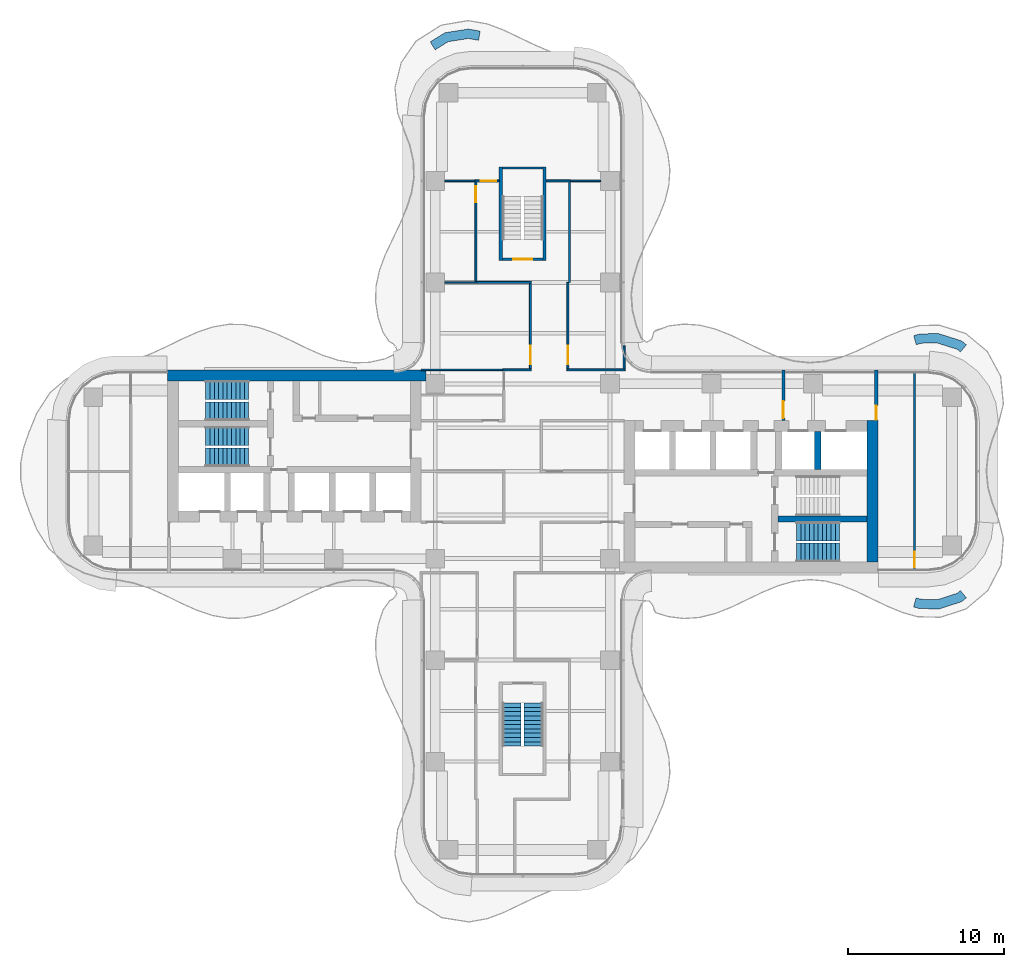
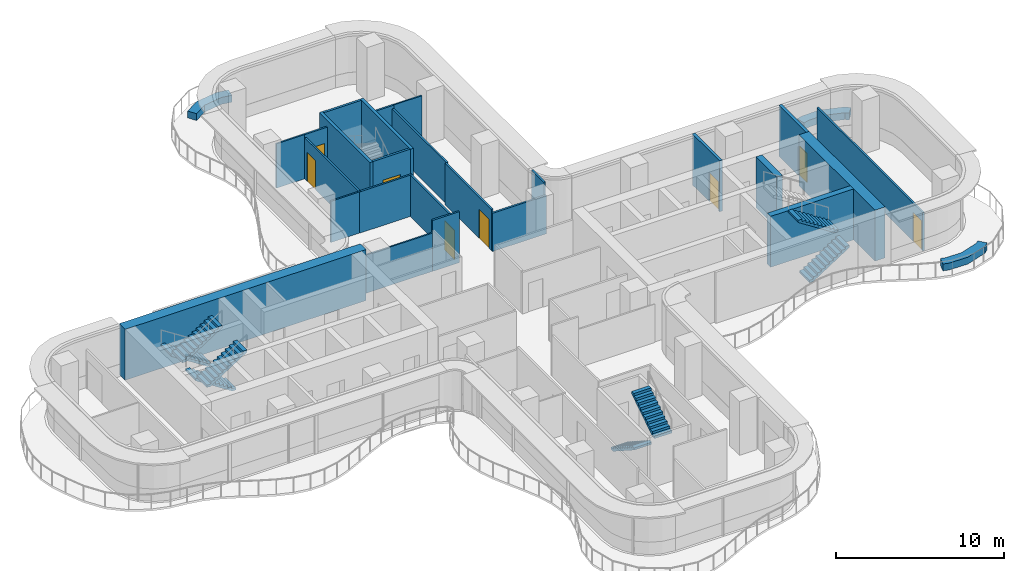
# One storey, part 15 of 18: 28 walls, 8 doors, 8 stair flights, 8 openings, 4 elements without a shape of their own.
"""IFC4 building model written with IfcOpenShell, lengths in metres."""

from ifc_helpers import new_model, si_unit, direction, frame, frame_2d, origin, place, context, subcontext, project, spatial, polyline, rectangle, outline, extrude, source, transform, mapped, material, layer, layer_set, type_object, element, fill, aggregate, save


model = new_model("IFC4")

# Units and contexts
model_context = context("Model", 3, precision=1e-05, world=origin(), true_north=direction((0.0, 1.0)))
body_context = subcontext(model_context, "Body", "Model", "MODEL_VIEW")
ifc_project = project(units=[si_unit("LENGTHUNIT", "METRE"), si_unit("AREAUNIT", "SQUARE_METRE"), si_unit("VOLUMEUNIT", "CUBIC_METRE"), si_unit("PLANEANGLEUNIT", "RADIAN"), si_unit("MASSUNIT", "GRAM", prefix="KILO")], contexts=[model_context])

# Site, building, storey
site_placement = place(None, origin())
site = spatial("IfcSite", under=ifc_project, at=site_placement, CompositionType="ELEMENT")
building_placement = place(site_placement, origin())
building = spatial("IfcBuilding", under=site, at=building_placement, Name="Trellis Farm Tower", CompositionType="ELEMENT")
storey_placement = place(building_placement, frame((0.0, 0.0, 169.800048828125)))
storey = spatial("IfcBuildingStorey", under=building, at=storey_placement, Name="L36", CompositionType="ELEMENT", Elevation=169.800048828125)

# Wall, opening, door
ifc_material_1 = material(Name="Plasterboard on steel studs, mineral wool", Category="steel")
ifc_layer_1 = layer(ifc_material_1, 0.125)
ifc_layer_set_1 = layer_set([ifc_layer_1], Name="PARTITION 125 STUD EI 60")
wall_type_1 = type_object("IfcWallType", Name="PARTITION 125 STUD EI 60", PredefinedType="PARTITIONING", material=ifc_layer_set_1)
wall_1_placement = place(storey_placement, frame((-3.0, 12.14990234375, 0.0), z_axis=(0.0, 0.0, 1.0), x_axis=(0.0, 1.0, 0.0)))
wall_1 = element("IfcWall", 1, at=wall_1_placement, inside=storey, type_object=wall_type_1, Name="Partition PW1", PredefinedType="PARTITIONING", context=body_context, shape_type="SweptSolid", body=[
    extrude(rectangle(XDim=6.400146484375, YDim=0.125, at=frame_2d((3.2001953125, 0.0))), origin(), (0.0, 0.0, 1.0), 2.996337890625),
])
shared_shape_1 = source(origin(), body_context, "Body", "SweptSolid", [
    extrude(rectangle(XDim=1.0, YDim=2.10009765625, at=frame_2d((0.5, 1.050048828125))), frame((0.0, 0.072509765625, 0.0), z_axis=(0.0, -1.0, 0.0), x_axis=(1.0, 0.0, 0.0)), (0.0, 0.0, 1.0), 0.14501953125),
])
opening_1_placement = place(wall_1_placement, frame((5.10009765625, 0.0, 0.0)))
opening_1 = element("IfcOpeningElement", 2, at=opening_1_placement, cuts=wall_1, Name="Opening D109", PredefinedType="OPENING", context=body_context, shape_type="MappedRepresentation", body=[
    mapped(shared_shape_1, transform((0.0, 0.0, 0.0))),
])
ifc_material_2 = material(Name="Fire-rated timber door leaf in a hollow metal frame", Category="wood")
door_type_1 = type_object("IfcDoorType", Name="DOOR 1000x2100 FD30S", OperationType="NOTDEFINED", PredefinedType="DOOR", material=ifc_material_2)
shared_shape_2 = source(origin(), body_context, "Body", "SweptSolid", [
    extrude(rectangle(XDim=1.0, YDim=2.10009765625, at=frame_2d((0.5, 1.050048828125))), frame((0.0, 0.02490234375, 0.0), z_axis=(0.0, -1.0, 0.0), x_axis=(1.0, 0.0, 0.0)), (0.0, 0.0, 1.0), 0.050048828125),
])
door_1_placement = place(opening_1_placement, origin())
door_1 = element("IfcDoor", 3, at=door_1_placement, inside=storey, type_object=door_type_1, Name="Door D109", OperationType="SINGLE_SWING_RIGHT", OverallHeight=2.10009765625, OverallWidth=1.0, PredefinedType="DOOR", context=body_context, shape_type="MappedRepresentation", body=[
    mapped(shared_shape_2, transform((0.0, 0.0, 0.0))),
])
fill(opening_1, door_1)

# Walls
wall_2_placement = place(storey_placement, frame((3.0, 18.550048828125, 0.0), z_axis=(0.0, 0.0, 1.0), x_axis=(0.0, -1.0, 0.0)))
element("IfcWall", 4, at=wall_2_placement, inside=storey, type_object=wall_type_1, Name="Partition PW1", PredefinedType="PARTITIONING", context=body_context, shape_type="SweptSolid", body=[
    extrude(rectangle(XDim=6.449951171875, YDim=0.125, at=frame_2d((3.22509765625, 0.0))), origin(), (0.0, 0.0, 1.0), 2.996337890625),
])
ifc_material_3 = material(Name="Sandstone faced masonry planter", Category="masonry")
ifc_layer_2 = layer(ifc_material_3, 0.60009765625)
ifc_layer_set_2 = layer_set([ifc_layer_2], Name="PLANTER BED 600")
wall_type_2 = type_object("IfcWallType", Name="PLANTER BED 600", PredefinedType="USERDEFINED", material=ifc_layer_set_2)
placement = place(storey_placement, origin())
element("IfcWall", 5, at=placement, inside=storey, type_object=wall_type_2, Name="PLANTER bed", ObjectType="PLANTER", PredefinedType="USERDEFINED", context=body_context, shape_type="SweptSolid", body=[
    extrude(outline(polyline([(25.4501953125, 8.798828125), (26.621337890625, 8.82666015625), (28.12548828125, 8.350830078125), (28.425048828125, 8.099365234375), (28.0390625, 7.639892578125), (27.8310546875, 7.814697265625), (26.53564453125, 8.224365234375), (25.5380859375, 8.20068359375), (25.209716796875, 8.110595703125), (25.051025390625, 8.689208984375), (25.4501953125, 8.798828125)])), origin(), (0.0, 0.0, 1.0), 0.5),
])
element("IfcWall", 6, at=placement, inside=storey, type_object=wall_type_2, Name="PLANTER bed", ObjectType="PLANTER", PredefinedType="USERDEFINED", context=body_context, shape_type="SweptSolid", body=[
    extrude(outline(polyline([(26.67626953125, -8.818603515625), (25.408447265625, -8.792236328125), (25.04052734375, -8.688720703125), (25.202880859375, -8.111083984375), (25.497314453125, -8.19384765625), (26.588134765625, -8.216552734375), (27.828857421875, -7.816650390625), (28.0390625, -7.639892578125), (28.425048828125, -8.099365234375), (28.124755859375, -8.3515625), (26.67626953125, -8.818603515625)])), origin(), (0.0, 0.0, 1.0), 0.5),
])
element("IfcWall", 7, at=placement, inside=storey, type_object=wall_type_2, Name="PLANTER bed", ObjectType="PLANTER", PredefinedType="USERDEFINED", context=body_context, shape_type="SweptSolid", body=[
    extrude(outline(polyline([(-3.470703125, 28.330078125), (-2.71875, 28.1953125), (-2.824462890625, 27.604736328125), (-3.477294921875, 27.7216796875), (-4.76416015625, 27.52001953125), (-5.60498046875, 26.998291015625), (-5.92138671875, 27.508056640625), (-4.97705078125, 28.09375), (-3.470703125, 28.330078125)])), origin(), (0.0, 0.0, 1.0), 0.5),
])
ifc_material_4 = material(Name="Concrete C70/85", Category="concrete")
ifc_layer_3 = layer(ifc_material_4, 0.699951171875)
ifc_layer_set_3 = layer_set([ifc_layer_3], Name="CORE OUTER WALL 700 CONCRETE C70/85")
wall_type_3 = type_object("IfcWallType", Name="CORE OUTER WALL 700 CONCRETE C70/85", PredefinedType="SHEAR", material=ifc_layer_set_3)
shared_shape_3 = source(origin(), body_context, "Body", "SweptSolid", [
    extrude(rectangle(XDim=9.050048828125, YDim=0.699951171875, at=frame_2d((4.52490234375, 0.0))), origin(), (0.0, 0.0, 1.0), 3.699951171875),
])
wall_6_placement = place(storey_placement, frame((22.39990234375, -5.800048828125, 0.0), z_axis=(0.0, 0.0, 1.0), x_axis=(0.0, 1.0, 0.0)))
element("IfcWall", 8, at=wall_6_placement, inside=storey, type_object=wall_type_3, Name="Core wall", PredefinedType="SHEAR", context=body_context, shape_type="MappedRepresentation", body=[
    mapped(shared_shape_3, transform((0.0, 0.0, 0.0))),
])
ifc_layer_4 = layer(ifc_material_4, 0.39990234375)
ifc_layer_set_4 = layer_set([ifc_layer_4], Name="CORE INNER WALL 400 CONCRETE C70/85")
wall_type_4 = type_object("IfcWallType", Name="CORE INNER WALL 400 CONCRETE C70/85", PredefinedType="SHEAR", material=ifc_layer_set_4)
shared_shape_4 = source(origin(), body_context, "Body", "SweptSolid", [
    extrude(rectangle(XDim=2.449951171875, YDim=0.39990234375, at=frame_2d((1.22509765625, 0.0))), origin(), (0.0, 0.0, 1.0), 3.699951171875),
])
wall_7_placement = place(storey_placement, frame((18.89990234375, 0.10009765625, 0.0), z_axis=(0.0, 0.0, 1.0), x_axis=(0.0, 1.0, 0.0)))
element("IfcWall", 9, at=wall_7_placement, inside=storey, type_object=wall_type_4, Name="Core wall", PredefinedType="SHEAR", context=body_context, shape_type="MappedRepresentation", body=[
    mapped(shared_shape_4, transform((0.0, 0.0, 0.0))),
])

# Wall, opening, door
ifc_material_5 = material(Name="Masonry blockwork", Category="masonry")
ifc_layer_5 = layer(ifc_material_5, 0.199951171875)
ifc_layer_set_5 = layer_set([ifc_layer_5], Name="FIRE LOBBY PARTITION 200 BLOCKWORK")
wall_type_5 = type_object("IfcWallType", Name="FIRE LOBBY PARTITION 200 BLOCKWORK", PredefinedType="PARTITIONING", material=ifc_layer_set_5)
shared_shape_5 = source(origin(), body_context, "Body", "SweptSolid", [
    extrude(rectangle(XDim=3.25, YDim=0.199951171875, at=frame_2d((1.625, 0.0))), origin(), (0.0, 0.0, 1.0), 3.699951171875),
])
wall_8_placement = place(storey_placement, frame((16.699951171875, 3.25, 0.0), z_axis=(0.0, 0.0, 1.0), x_axis=(0.0, 1.0, 0.0)))
wall_8 = element("IfcWall", 10, at=wall_8_placement, inside=storey, type_object=wall_type_5, Name="Fire-fighting lobby partition", PredefinedType="PARTITIONING", context=body_context, shape_type="MappedRepresentation", body=[
    mapped(shared_shape_5, transform((0.0, 0.0, 0.0))),
])
shared_shape_6 = source(origin(), body_context, "Body", "SweptSolid", [
    extrude(rectangle(XDim=1.10009765625, YDim=2.10009765625, at=frame_2d((0.550048828125, 1.050048828125))), frame((0.0, 0.110107421875, 0.0), z_axis=(0.0, -1.0, 0.0), x_axis=(1.0, 0.0, 0.0)), (0.0, 0.0, 1.0), 0.22021484375),
])
opening_2_placement = place(wall_8_placement, frame((0.14990234375, 0.0, 0.0)))
opening_2 = element("IfcOpeningElement", 11, at=opening_2_placement, cuts=wall_8, Name="Opening DC7", PredefinedType="OPENING", context=body_context, shape_type="MappedRepresentation", body=[
    mapped(shared_shape_6, transform((0.0, 0.0, 0.0))),
])
ifc_material_6 = material(Name="Steel", Category="steel")
door_type_2 = type_object("IfcDoorType", Name="CORE FIRE DOOR 1100 X 2100", OperationType="NOTDEFINED", PredefinedType="DOOR", material=ifc_material_6)
shared_shape_7 = source(origin(), body_context, "Body", "SweptSolid", [
    extrude(rectangle(XDim=1.10009765625, YDim=2.10009765625, at=frame_2d((0.550048828125, 1.050048828125))), frame((0.0, 0.02490234375, 0.0), z_axis=(0.0, -1.0, 0.0), x_axis=(1.0, 0.0, 0.0)), (0.0, 0.0, 1.0), 0.050048828125),
])
door_2_placement = place(opening_2_placement, origin())
door_2 = element("IfcDoor", 12, at=door_2_placement, inside=storey, type_object=door_type_2, Name="Core door", OperationType="SINGLE_SWING_RIGHT", OverallHeight=2.10009765625, OverallWidth=1.10009765625, PredefinedType="DOOR", context=body_context, shape_type="MappedRepresentation", body=[
    mapped(shared_shape_7, transform((0.0, 0.0, 0.0))),
])
fill(opening_2, door_2)

wall_9_placement = place(storey_placement, frame((22.64990234375, 3.25, 0.0), z_axis=(0.0, 0.0, 1.0), x_axis=(0.0, 1.0, 0.0)))
wall_9 = element("IfcWall", 13, at=wall_9_placement, inside=storey, type_object=wall_type_5, Name="Fire-fighting lobby partition", PredefinedType="PARTITIONING", context=body_context, shape_type="MappedRepresentation", body=[
    mapped(shared_shape_5, transform((0.0, 0.0, 0.0))),
])
shared_shape_8 = source(origin(), body_context, "Body", "SweptSolid", [
    extrude(rectangle(XDim=0.89990234375, YDim=2.10009765625, at=frame_2d((0.449951171875, 1.050048828125))), frame((0.0, 0.110107421875, 0.0), z_axis=(0.0, -1.0, 0.0), x_axis=(1.0, 0.0, 0.0)), (0.0, 0.0, 1.0), 0.22021484375),
])
opening_3_placement = place(wall_9_placement, frame((0.050048828125, 0.0, 0.0)))
opening_3 = element("IfcOpeningElement", 14, at=opening_3_placement, cuts=wall_9, Name="Opening DC8", PredefinedType="OPENING", context=body_context, shape_type="MappedRepresentation", body=[
    mapped(shared_shape_8, transform((0.0, 0.0, 0.0))),
])
door_type_3 = type_object("IfcDoorType", Name="CORE FIRE DOOR 900 X 2100", OperationType="NOTDEFINED", PredefinedType="DOOR", material=ifc_material_6)
shared_shape_9 = source(origin(), body_context, "Body", "SweptSolid", [
    extrude(rectangle(XDim=0.89990234375, YDim=2.10009765625, at=frame_2d((0.449951171875, 1.050048828125))), frame((0.0, 0.02490234375, 0.0), z_axis=(0.0, -1.0, 0.0), x_axis=(1.0, 0.0, 0.0)), (0.0, 0.0, 1.0), 0.050048828125),
])
door_3_placement = place(opening_3_placement, origin())
door_3 = element("IfcDoor", 15, at=door_3_placement, inside=storey, type_object=door_type_3, Name="Core door", OperationType="SINGLE_SWING_RIGHT", OverallHeight=2.10009765625, OverallWidth=0.89990234375, PredefinedType="DOOR", context=body_context, shape_type="MappedRepresentation", body=[
    mapped(shared_shape_9, transform((0.0, 0.0, 0.0))),
])
fill(opening_3, door_3)

# Walls
shared_shape_10 = source(origin(), body_context, "Body", "SweptSolid", [
    extrude(rectangle(XDim=16.550048828125, YDim=0.699951171875, at=frame_2d((8.27490234375, 0.0))), origin(), (0.0, 0.0, 1.0), 3.699951171875),
])
wall_10_placement = place(storey_placement, frame((-6.199951171875, 6.14990234375, 0.0), z_axis=(0.0, 0.0, 1.0), x_axis=(-1.0, 0.0, 0.0)))
element("IfcWall", 16, at=wall_10_placement, inside=storey, type_object=wall_type_3, Name="Core wall", PredefinedType="SHEAR", context=body_context, shape_type="MappedRepresentation", body=[
    mapped(shared_shape_10, transform((0.0, 0.0, 0.0))),
])
shared_shape_11 = source(origin(), body_context, "Body", "SweptSolid", [
    extrude(rectangle(XDim=5.699951171875, YDim=0.39990234375, at=frame_2d((2.85009765625, 0.0))), origin(), (0.0, 0.0, 1.0), 3.699951171875),
])
wall_11_placement = place(storey_placement, frame((16.35009765625, -3.050048828125, 0.0), z_axis=(0.0, 0.0, 1.0), x_axis=(1.0, 0.0, 0.0)))
element("IfcWall", 17, at=wall_11_placement, inside=storey, type_object=wall_type_4, Name="Core wall", PredefinedType="SHEAR", context=body_context, shape_type="MappedRepresentation", body=[
    mapped(shared_shape_11, transform((0.0, 0.0, 0.0))),
])
ifc_layer_6 = layer(ifc_material_4, 0.199951171875)
ifc_layer_set_6 = layer_set([ifc_layer_6], Name="CORE STAIR ENCLOSURE WALL 200 CONCRETE C70/85")
wall_type_6 = type_object("IfcWallType", Name="CORE STAIR ENCLOSURE WALL 200 CONCRETE C70/85", PredefinedType="SHEAR", material=ifc_layer_set_6)
shared_shape_12 = source(origin(), body_context, "Body", "SweptSolid", [
    extrude(rectangle(XDim=6.0, YDim=0.199951171875, at=frame_2d((3.0, 0.0))), origin(), (0.0, 0.0, 1.0), 3.699951171875),
])
for number, where, z_axis, x_axis, name in (
    (18, (-1.39990234375, 13.5, 0.0), (0.0, 0.0, 1.0), (0.0, 1.0, 0.0), "Stair enclosure wall"),
    (19, (1.39990234375, 13.5, 0.0), (0.0, 0.0, 1.0), (0.0, 1.0, 0.0), "Stair enclosure wall"),
):
    element("IfcWall", number, at=place(storey_placement, frame(where, z_axis=z_axis, x_axis=x_axis)), inside=storey, type_object=wall_type_6, Name=name, PredefinedType="SHEAR", context=body_context, shape_type="MappedRepresentation", body=[
        mapped(shared_shape_12, transform((0.0, 0.0, 0.0))),
    ])

# Wall, opening, door
ifc_layer_7 = layer(ifc_material_4, 0.14990234375)
ifc_layer_set_7 = layer_set([ifc_layer_7], Name="CORE STAIR ENCLOSURE WALL 150 CONCRETE C70/85")
wall_type_7 = type_object("IfcWallType", Name="CORE STAIR ENCLOSURE WALL 150 CONCRETE C70/85", PredefinedType="SHEAR", material=ifc_layer_set_7)
shared_shape_13 = source(origin(), body_context, "Body", "SweptSolid", [
    extrude(rectangle(XDim=2.60009765625, YDim=0.14990234375, at=frame_2d((1.300048828125, 0.0))), origin(), (0.0, 0.0, 1.0), 3.699951171875),
])
wall_12_placement = place(storey_placement, frame((-1.300048828125, 13.574951171875, 0.0), z_axis=(0.0, 0.0, 1.0), x_axis=(1.0, 0.0, 0.0)))
wall_12 = element("IfcWall", 20, at=wall_12_placement, inside=storey, type_object=wall_type_7, Name="Stair enclosure wall", PredefinedType="SHEAR", context=body_context, shape_type="MappedRepresentation", body=[
    mapped(shared_shape_13, transform((0.0, 0.0, 0.0))),
])
shared_shape_14 = source(origin(), body_context, "Body", "SweptSolid", [
    extrude(rectangle(XDim=1.199951171875, YDim=2.10009765625, at=frame_2d((0.60009765625, 1.050048828125))), frame((0.0, 0.0849609375, 0.0), z_axis=(0.0, -1.0, 0.0), x_axis=(1.0, 0.0, 0.0)), (0.0, 0.0, 1.0), 0.169921875),
])
opening_4_placement = place(wall_12_placement, frame((0.699951171875, 0.0, 0.0)))
opening_4 = element("IfcOpeningElement", 21, at=opening_4_placement, cuts=wall_12, Name="Opening DC173", PredefinedType="OPENING", context=body_context, shape_type="MappedRepresentation", body=[
    mapped(shared_shape_14, transform((0.0, 0.0, 0.0))),
])
door_type_4 = type_object("IfcDoorType", Name="CORE FIRE DOOR 1200 X 2100", OperationType="NOTDEFINED", PredefinedType="DOOR", material=ifc_material_6)
shared_shape_15 = source(origin(), body_context, "Body", "SweptSolid", [
    extrude(rectangle(XDim=1.199951171875, YDim=2.10009765625, at=frame_2d((0.60009765625, 1.050048828125))), frame((0.0, 0.02490234375, 0.0), z_axis=(0.0, -1.0, 0.0), x_axis=(1.0, 0.0, 0.0)), (0.0, 0.0, 1.0), 0.050048828125),
])
door_4_placement = place(opening_4_placement, origin())
door_4 = element("IfcDoor", 22, at=door_4_placement, inside=storey, type_object=door_type_4, Name="Core door", OperationType="SINGLE_SWING_LEFT", OverallHeight=2.10009765625, OverallWidth=1.199951171875, PredefinedType="DOOR", context=body_context, shape_type="MappedRepresentation", body=[
    mapped(shared_shape_15, transform((0.0, 0.0, 0.0))),
])
fill(opening_4, door_4)

# Walls
wall_13_placement = place(storey_placement, frame((-1.300048828125, 19.425048828125, 0.0), z_axis=(0.0, 0.0, 1.0), x_axis=(1.0, 0.0, 0.0)))
element("IfcWall", 23, at=wall_13_placement, inside=storey, type_object=wall_type_7, Name="Stair enclosure wall", PredefinedType="SHEAR", context=body_context, shape_type="MappedRepresentation", body=[
    mapped(shared_shape_13, transform((0.0, 0.0, 0.0))),
])
shared_shape_16 = source(origin(), body_context, "Body", "SweptSolid", [
    extrude(rectangle(XDim=1.468994140625, YDim=0.125, at=frame_2d((0.734375, 0.0))), origin(), (0.0, 0.0, 1.0), 3.699951171875),
])
wall_14_placement = place(storey_placement, frame((6.5, 6.5625, 0.0), z_axis=(0.0, 0.0, 1.0), x_axis=(0.0, 1.0, 0.0)))
element("IfcWall", 24, at=wall_14_placement, inside=storey, type_object=wall_type_1, Name="Partition PW1", PredefinedType="PARTITIONING", context=body_context, shape_type="MappedRepresentation", body=[
    mapped(shared_shape_16, transform((0.0, 0.0, 0.0))),
])

# Wall, opening, door
shared_shape_17 = source(origin(), body_context, "Body", "SweptSolid", [
    extrude(rectangle(XDim=12.60009765625, YDim=0.125, at=frame_2d((6.300048828125, 0.0))), origin(), (0.0, 0.0, 1.0), 2.780029296875),
])
wall_15_placement = place(storey_placement, frame((25.10009765625, 6.300048828125, 0.0), z_axis=(0.0, 0.0, 1.0), x_axis=(0.0, -1.0, 0.0)))
wall_15 = element("IfcWall", 25, at=wall_15_placement, inside=storey, type_object=wall_type_1, Name="Partition PW1", PredefinedType="PARTITIONING", context=body_context, shape_type="MappedRepresentation", body=[
    mapped(shared_shape_17, transform((0.0, 0.0, 0.0))),
])
opening_5_placement = place(wall_15_placement, frame((11.449951171875, 0.0, 0.0)))
opening_5 = element("IfcOpeningElement", 26, at=opening_5_placement, cuts=wall_15, Name="Opening D104", PredefinedType="OPENING", context=body_context, shape_type="MappedRepresentation", body=[
    mapped(shared_shape_1, transform((0.0, 0.0, 0.0))),
])
door_5_placement = place(opening_5_placement, origin())
door_5 = element("IfcDoor", 27, at=door_5_placement, inside=storey, type_object=door_type_1, Name="Door D104", OperationType="SINGLE_SWING_RIGHT", OverallHeight=2.10009765625, OverallWidth=1.0, PredefinedType="DOOR", context=body_context, shape_type="MappedRepresentation", body=[
    mapped(shared_shape_2, transform((0.0, 0.0, 0.0))),
])
fill(opening_5, door_5)

# Walls
ifc_material_7 = material(Name="Plasterboard on steel studs", Category="steel")
ifc_layer_8 = layer(ifc_material_7, 0.10009765625)
ifc_layer_set_8 = layer_set([ifc_layer_8], Name="PARTITION 100 STUD EI 30")
wall_type_8 = type_object("IfcWallType", Name="PARTITION 100 STUD EI 30", PredefinedType="PARTITIONING", material=ifc_layer_set_8)
shared_shape_18 = source(origin(), body_context, "Body", "SweptSolid", [
    extrude(rectangle(XDim=5.362548828125, YDim=0.10009765625, at=frame_2d((2.68115234375, 0.0))), origin(), (0.0, 0.0, 1.0), 2.780029296875),
])
wall_16_placement = place(storey_placement, frame((-6.5, 6.5, 0.0), z_axis=(0.0, 0.0, 1.0), x_axis=(1.0, 0.0, 0.0)))
element("IfcWall", 28, at=wall_16_placement, inside=storey, type_object=wall_type_8, Name="Partition PW2", PredefinedType="PARTITIONING", context=body_context, shape_type="MappedRepresentation", body=[
    mapped(shared_shape_18, transform((0.0, 0.0, 0.0))),
])
shared_shape_19 = source(origin(), body_context, "Body", "SweptSolid", [
    extrude(rectangle(XDim=1.824951171875, YDim=0.125, at=frame_2d((0.91259765625, 0.0))), origin(), (0.0, 0.0, 1.0), 3.699951171875),
])
wall_17_placement = place(storey_placement, frame((-1.262451171875, 6.5, 0.0), z_axis=(0.0, 0.0, 1.0), x_axis=(1.0, 0.0, 0.0)))
element("IfcWall", 29, at=wall_17_placement, inside=storey, type_object=wall_type_1, Name="Partition PW1", PredefinedType="PARTITIONING", context=body_context, shape_type="MappedRepresentation", body=[
    mapped(shared_shape_19, transform((0.0, 0.0, 0.0))),
])
shared_shape_20 = source(origin(), body_context, "Body", "SweptSolid", [
    extrude(rectangle(XDim=3.72509765625, YDim=0.125, at=frame_2d((1.862548828125, 0.0))), origin(), (0.0, 0.0, 1.0), 2.780029296875),
])
wall_18_placement = place(storey_placement, frame((2.83740234375, 6.5, 0.0), z_axis=(0.0, 0.0, 1.0), x_axis=(1.0, 0.0, 0.0)))
element("IfcWall", 30, at=wall_18_placement, inside=storey, type_object=wall_type_1, Name="Partition PW1", PredefinedType="PARTITIONING", context=body_context, shape_type="MappedRepresentation", body=[
    mapped(shared_shape_20, transform((0.0, 0.0, 0.0))),
])
shared_shape_21 = source(origin(), body_context, "Body", "SweptSolid", [
    extrude(rectangle(XDim=2.0625, YDim=0.10009765625, at=frame_2d((1.03125, 0.0))), origin(), (0.0, 0.0, 1.0), 3.222900390625),
])
for number, where, z_axis, x_axis, name in (
    (31, (-5.0, 18.60009765625, 0.0), (0.0, 0.0, 1.0), (1.0, 0.0, 0.0), "Partition PW2"),
    (32, (2.9375, 18.60009765625, 0.0), (0.0, 0.0, 1.0), (1.0, 0.0, 0.0), "Partition PW2"),
):
    element("IfcWall", number, at=place(storey_placement, frame(where, z_axis=z_axis, x_axis=x_axis)), inside=storey, type_object=wall_type_8, Name=name, PredefinedType="PARTITIONING", context=body_context, shape_type="MappedRepresentation", body=[
        mapped(shared_shape_21, transform((0.0, 0.0, 0.0))),
    ])

# Wall, opening, door
shared_shape_22 = source(origin(), body_context, "Body", "SweptSolid", [
    extrude(rectangle(XDim=1.5625, YDim=0.125, at=frame_2d((0.78125, 0.0))), origin(), (0.0, 0.0, 1.0), 3.222900390625),
])
wall_19_placement = place(storey_placement, frame((-3.0625, 18.60009765625, 0.0), z_axis=(0.0, 0.0, 1.0), x_axis=(1.0, 0.0, 0.0)))
wall_19 = element("IfcWall", 33, at=wall_19_placement, inside=storey, type_object=wall_type_1, Name="Partition PW1", PredefinedType="PARTITIONING", context=body_context, shape_type="MappedRepresentation", body=[
    mapped(shared_shape_22, transform((0.0, 0.0, 0.0))),
])
opening_6_placement = place(wall_19_placement, frame((0.362548828125, 0.0, 0.0)))
opening_6 = element("IfcOpeningElement", 34, at=opening_6_placement, cuts=wall_19, Name="Opening D110", PredefinedType="OPENING", context=body_context, shape_type="MappedRepresentation", body=[
    mapped(shared_shape_1, transform((0.0, 0.0, 0.0))),
])
door_6_placement = place(opening_6_placement, origin())
door_6 = element("IfcDoor", 35, at=door_6_placement, inside=storey, type_object=door_type_1, Name="Door D110", OperationType="SINGLE_SWING_RIGHT", OverallHeight=2.10009765625, OverallWidth=1.0, PredefinedType="DOOR", context=body_context, shape_type="MappedRepresentation", body=[
    mapped(shared_shape_2, transform((0.0, 0.0, 0.0))),
])
fill(opening_6, door_6)

# Wall
wall_20_placement = place(storey_placement, frame((1.5, 18.60009765625, 0.0), z_axis=(0.0, 0.0, 1.0), x_axis=(1.0, 0.0, 0.0)))
element("IfcWall", 36, at=wall_20_placement, inside=storey, type_object=wall_type_1, Name="Partition PW1", PredefinedType="PARTITIONING", context=body_context, shape_type="MappedRepresentation", body=[
    mapped(shared_shape_22, transform((0.0, 0.0, 0.0))),
])

# Wall, opening, door
shared_shape_23 = source(origin(), body_context, "Body", "SweptSolid", [
    extrude(rectangle(XDim=5.47509765625, YDim=0.125, at=frame_2d((2.737548828125, 0.0))), origin(), (0.0, 0.0, 1.0), 2.996337890625),
])
wall_21_placement = place(storey_placement, frame((0.5, 12.03759765625, 0.0), z_axis=(0.0, 0.0, 1.0), x_axis=(0.0, -1.0, 0.0)))
wall_21 = element("IfcWall", 37, at=wall_21_placement, inside=storey, type_object=wall_type_1, Name="Partition PW1", PredefinedType="PARTITIONING", context=body_context, shape_type="MappedRepresentation", body=[
    mapped(shared_shape_23, transform((0.0, 0.0, 0.0))),
])
shared_shape_24 = source(origin(), body_context, "Body", "SweptSolid", [
    extrude(rectangle(XDim=1.199951171875, YDim=2.10009765625, at=frame_2d((0.60009765625, 1.050048828125))), frame((0.0, 0.072509765625, 0.0), z_axis=(0.0, -1.0, 0.0), x_axis=(1.0, 0.0, 0.0)), (0.0, 0.0, 1.0), 0.14501953125),
])
opening_7_placement = place(wall_21_placement, frame((3.987548828125, 0.0, 0.0)))
opening_7 = element("IfcOpeningElement", 38, at=opening_7_placement, cuts=wall_21, Name="Opening D601", PredefinedType="OPENING", context=body_context, shape_type="MappedRepresentation", body=[
    mapped(shared_shape_24, transform((0.0, 0.0, 0.0))),
])
door_type_5 = type_object("IfcDoorType", Name="DOOR 1200x2100 FD30S", OperationType="NOTDEFINED", PredefinedType="DOOR", material=ifc_material_2)
door_7_placement = place(opening_7_placement, origin())
door_7 = element("IfcDoor", 39, at=door_7_placement, inside=storey, type_object=door_type_5, Name="Door D601", OperationType="SINGLE_SWING_RIGHT", OverallHeight=2.10009765625, OverallWidth=1.199951171875, PredefinedType="DOOR", context=body_context, shape_type="MappedRepresentation", body=[
    mapped(shared_shape_15, transform((0.0, 0.0, 0.0))),
])
fill(opening_7, door_7)

shared_shape_25 = source(origin(), body_context, "Body", "SweptSolid", [
    extrude(rectangle(XDim=5.53759765625, YDim=0.125, at=frame_2d((2.768798828125, 0.0))), origin(), (0.0, 0.0, 1.0), 2.996337890625),
])
wall_22_placement = place(storey_placement, frame((2.89990234375, 12.10009765625, 0.0), z_axis=(0.0, 0.0, 1.0), x_axis=(0.0, -1.0, 0.0)))
wall_22 = element("IfcWall", 40, at=wall_22_placement, inside=storey, type_object=wall_type_1, Name="Partition PW1", PredefinedType="PARTITIONING", context=body_context, shape_type="MappedRepresentation", body=[
    mapped(shared_shape_25, transform((0.0, 0.0, 0.0))),
])
opening_8_placement = place(wall_22_placement, frame((4.050048828125, 0.0, 0.0)))
opening_8 = element("IfcOpeningElement", 41, at=opening_8_placement, cuts=wall_22, Name="Opening D602", PredefinedType="OPENING", context=body_context, shape_type="MappedRepresentation", body=[
    mapped(shared_shape_24, transform((0.0, 0.0, 0.0))),
])
door_8_placement = place(opening_8_placement, origin())
door_8 = element("IfcDoor", 42, at=door_8_placement, inside=storey, type_object=door_type_5, Name="Door D602", OperationType="SINGLE_SWING_RIGHT", OverallHeight=2.10009765625, OverallWidth=1.199951171875, PredefinedType="DOOR", context=body_context, shape_type="MappedRepresentation", body=[
    mapped(shared_shape_15, transform((0.0, 0.0, 0.0))),
])
fill(opening_8, door_8)

# Walls
shared_shape_26 = source(origin(), body_context, "Body", "SweptSolid", [
    extrude(rectangle(XDim=2.0625, YDim=0.10009765625, at=frame_2d((1.03125, 0.0))), origin(), (0.0, 0.0, 1.0), 2.996337890625),
])
wall_23_placement = place(storey_placement, frame((-5.0, 12.10009765625, 0.0), z_axis=(0.0, 0.0, 1.0), x_axis=(1.0, 0.0, 0.0)))
element("IfcWall", 43, at=wall_23_placement, inside=storey, type_object=wall_type_8, Name="Partition PW2", PredefinedType="PARTITIONING", context=body_context, shape_type="MappedRepresentation", body=[
    mapped(shared_shape_26, transform((0.0, 0.0, 0.0))),
])
shared_shape_27 = source(origin(), body_context, "Body", "SweptSolid", [
    extrude(rectangle(XDim=3.625, YDim=0.125, at=frame_2d((1.8125, 0.0))), origin(), (0.0, 0.0, 1.0), 2.996337890625),
])
wall_24_placement = place(storey_placement, frame((0.5625, 12.10009765625, 0.0), z_axis=(0.0, 0.0, 1.0), x_axis=(-1.0, 0.0, 0.0)))
element("IfcWall", 44, at=wall_24_placement, inside=storey, type_object=wall_type_1, Name="Partition PW1", PredefinedType="PARTITIONING", context=body_context, shape_type="MappedRepresentation", body=[
    mapped(shared_shape_27, transform((0.0, 0.0, 0.0))),
])

# Stair, stair flights
ifc_material_8 = material(Name="Concrete C50/60", Category="concrete")
stair_type = type_object("IfcStairType", Name="CORE EXIT STAIR 22 RISERS 177 MM", PredefinedType="HALF_TURN_STAIR", material=ifc_material_8)
stair_1 = element("IfcStair", 45, at=placement, inside=storey, type_object=stair_type, Name="Exit stair S", PredefinedType="HALF_TURN_STAIR")
stair_flight_type = type_object("IfcStairFlightType", Name="STAIR FLIGHT 11 RISERS 177 MM", PredefinedType="STRAIGHT", material=ifc_material_8)
shared_shape_28 = source(origin(), body_context, "Body", "SweptSolid", [
    extrude(outline(polyline([(0.0, 0.0), (0.0, 0.17724609375), (0.27490234375, 0.17724609375), (0.27490234375, 0.3544921875), (0.550048828125, 0.3544921875), (0.550048828125, 0.53173828125), (0.824951171875, 0.53173828125), (0.824951171875, 0.708984375), (1.10009765625, 0.708984375), (1.10009765625, 0.886474609375), (1.375, 0.886474609375), (1.375, 1.063720703125), (1.64990234375, 1.063720703125), (1.64990234375, 1.240966796875), (1.925048828125, 1.240966796875), (1.925048828125, 1.418212890625), (2.199951171875, 1.418212890625), (2.199951171875, 1.595458984375), (2.47509765625, 1.595458984375), (2.47509765625, 1.772705078125), (2.75, 1.772705078125), (2.75, 1.949951171875), (2.75, 1.6181640625), (0.23974609375, 0.0), (0.0, 0.0)])), frame((0.0, 0.60009765625, 0.0), z_axis=(0.0, -1.0, 0.0), x_axis=(1.0, 0.0, 0.0)), (0.0, 0.0, 1.0), 1.199951171875),
])
stair_flight_1_placement = place(storey_placement, frame((-0.699951171875, -14.85009765625, 0.0), z_axis=(0.0, 0.0, 1.0), x_axis=(0.0, -1.0, 0.0)))
stair_flight_1 = element("IfcStairFlight", 46, at=stair_flight_1_placement, type_object=stair_flight_type, Name="STS flight 1", NumberOfRisers=11, NumberOfTreads=10, PredefinedType="STRAIGHT", RiserHeight=0.177272727, TreadLength=0.275, context=body_context, shape_type="MappedRepresentation", body=[
    mapped(shared_shape_28, transform((0.0, 0.0, 0.0))),
])
stair_flight_2_placement = place(storey_placement, frame((0.699951171875, -17.60009765625, 1.949951171875), z_axis=(0.0, 0.0, 1.0), x_axis=(0.0, 1.0, 0.0)))
stair_flight_2 = element("IfcStairFlight", 47, at=stair_flight_2_placement, type_object=stair_flight_type, Name="STS flight 2", NumberOfRisers=11, NumberOfTreads=10, PredefinedType="STRAIGHT", RiserHeight=0.177272727, TreadLength=0.275, context=body_context, shape_type="MappedRepresentation", body=[
    mapped(shared_shape_28, transform((0.0, 0.0, 0.0))),
])
aggregate(stair_1, [stair_flight_1, stair_flight_2])

stair_2 = element("IfcStair", 48, at=placement, inside=storey, type_object=stair_type, Name="Exit stair E1", PredefinedType="HALF_TURN_STAIR")
stair_flight_3_placement = place(storey_placement, frame((17.550048828125, -5.199951171875, 0.0), z_axis=(0.0, 0.0, 1.0), x_axis=(1.0, 0.0, 0.0)))
stair_flight_3 = element("IfcStairFlight", 49, at=stair_flight_3_placement, type_object=stair_flight_type, Name="STE1 flight 1", NumberOfRisers=11, NumberOfTreads=10, PredefinedType="STRAIGHT", RiserHeight=0.177272727, TreadLength=0.275, context=body_context, shape_type="MappedRepresentation", body=[
    mapped(shared_shape_28, transform((0.0, 0.0, 0.0))),
])
stair_flight_4_placement = place(storey_placement, frame((20.300048828125, -3.85009765625, 1.949951171875), z_axis=(0.0, 0.0, 1.0), x_axis=(-1.0, 0.0, 0.0)))
stair_flight_4 = element("IfcStairFlight", 50, at=stair_flight_4_placement, type_object=stair_flight_type, Name="STE1 flight 2", NumberOfRisers=11, NumberOfTreads=10, PredefinedType="STRAIGHT", RiserHeight=0.177272727, TreadLength=0.275, context=body_context, shape_type="MappedRepresentation", body=[
    mapped(shared_shape_28, transform((0.0, 0.0, 0.0))),
])
aggregate(stair_2, [stair_flight_3, stair_flight_4])

stair_3 = element("IfcStair", 51, at=placement, inside=storey, type_object=stair_type, Name="Exit stair W1", PredefinedType="HALF_TURN_STAIR")
stair_flight_5_placement = place(storey_placement, frame((-17.550048828125, 5.199951171875, 0.0), z_axis=(0.0, 0.0, 1.0), x_axis=(-1.0, 0.0, 0.0)))
stair_flight_5 = element("IfcStairFlight", 52, at=stair_flight_5_placement, type_object=stair_flight_type, Name="STW1 flight 1", NumberOfRisers=11, NumberOfTreads=10, PredefinedType="STRAIGHT", RiserHeight=0.177272727, TreadLength=0.275, context=body_context, shape_type="MappedRepresentation", body=[
    mapped(shared_shape_28, transform((0.0, 0.0, 0.0))),
])
stair_flight_6_placement = place(storey_placement, frame((-20.300048828125, 3.85009765625, 1.949951171875), z_axis=(0.0, 0.0, 1.0), x_axis=(1.0, 0.0, 0.0)))
stair_flight_6 = element("IfcStairFlight", 53, at=stair_flight_6_placement, type_object=stair_flight_type, Name="STW1 flight 2", NumberOfRisers=11, NumberOfTreads=10, PredefinedType="STRAIGHT", RiserHeight=0.177272727, TreadLength=0.275, context=body_context, shape_type="MappedRepresentation", body=[
    mapped(shared_shape_28, transform((0.0, 0.0, 0.0))),
])
aggregate(stair_3, [stair_flight_5, stair_flight_6])

stair_4 = element("IfcStair", 54, at=placement, inside=storey, type_object=stair_type, Name="Exit stair W2", PredefinedType="HALF_TURN_STAIR")
stair_flight_7_placement = place(storey_placement, frame((-17.550048828125, 2.25, 0.0), z_axis=(0.0, 0.0, 1.0), x_axis=(-1.0, 0.0, 0.0)))
stair_flight_7 = element("IfcStairFlight", 55, at=stair_flight_7_placement, type_object=stair_flight_type, Name="STW2 flight 1", NumberOfRisers=11, NumberOfTreads=10, PredefinedType="STRAIGHT", RiserHeight=0.177272727, TreadLength=0.275, context=body_context, shape_type="MappedRepresentation", body=[
    mapped(shared_shape_28, transform((0.0, 0.0, 0.0))),
])
stair_flight_8_placement = place(storey_placement, frame((-20.300048828125, 0.89990234375, 1.949951171875), z_axis=(0.0, 0.0, 1.0), x_axis=(1.0, 0.0, 0.0)))
stair_flight_8 = element("IfcStairFlight", 56, at=stair_flight_8_placement, type_object=stair_flight_type, Name="STW2 flight 2", NumberOfRisers=11, NumberOfTreads=10, PredefinedType="STRAIGHT", RiserHeight=0.177272727, TreadLength=0.275, context=body_context, shape_type="MappedRepresentation", body=[
    mapped(shared_shape_28, transform((0.0, 0.0, 0.0))),
])
aggregate(stair_4, [stair_flight_7, stair_flight_8])

save(model, "model.ifc")
